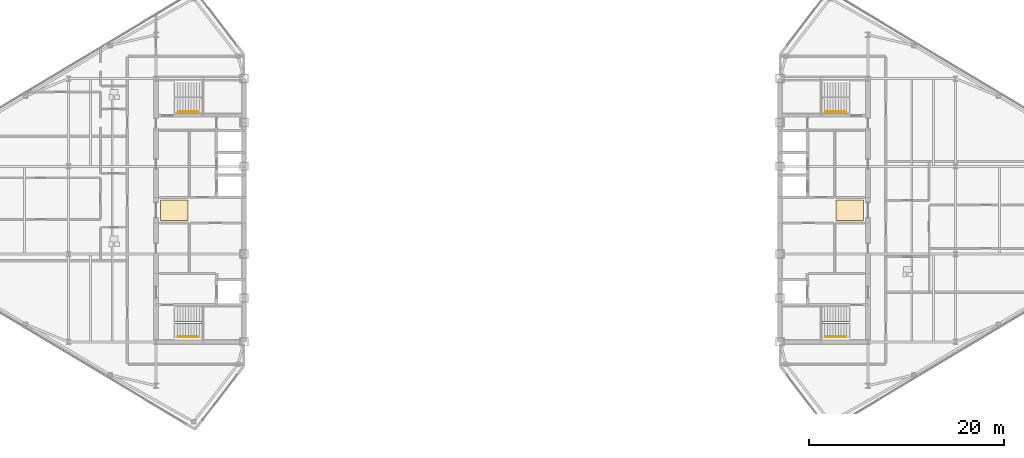
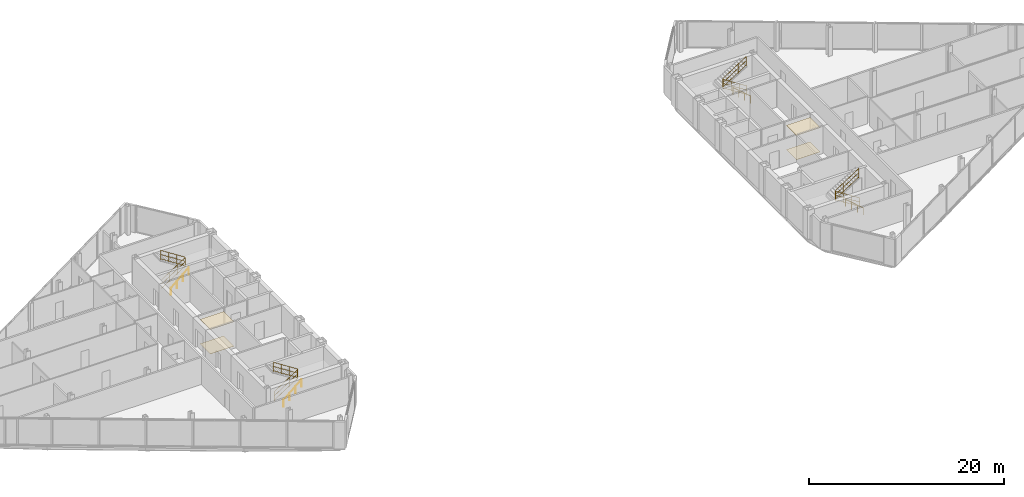
# One storey, part 24 of 25: 8 railings, 4 coverings.
"""IFC4 building model written with IfcOpenShell, lengths in metres."""

from ifc_helpers import new_model, si_unit, direction, frame, origin, origin_2d, place, context, subcontext, project, spatial, polyline, circle, outline, extrude, material, layer, layer_set, type_object, element, save


model = new_model("IFC4")

# Units and contexts
model_context = context("Model", 3, precision=1e-05, world=origin(), true_north=direction((0.0, 1.0)))
body_context = subcontext(model_context, "Body", "Model", "MODEL_VIEW")
ifc_project = project(units=[si_unit("LENGTHUNIT", "METRE"), si_unit("AREAUNIT", "SQUARE_METRE"), si_unit("VOLUMEUNIT", "CUBIC_METRE"), si_unit("PLANEANGLEUNIT", "RADIAN"), si_unit("MASSUNIT", "GRAM", prefix="KILO")], contexts=[model_context])

# Site, building, storey
site_placement = place(None, origin())
site = spatial("IfcSite", under=ifc_project, at=site_placement, CompositionType="ELEMENT")
building_placement = place(site_placement, origin())
building = spatial("IfcBuilding", under=site, at=building_placement, Name="Seokmaru Belvedere", CompositionType="ELEMENT")
storey_placement = place(building_placement, frame((0.0, 0.0, 217.5)))
storey = spatial("IfcBuildingStorey", under=building, at=storey_placement, Name="L58", CompositionType="ELEMENT", Elevation=217.5)

# Coverings
ifc_material_1 = material(Name="Engineered White Oak Timber", Category="wood")
ifc_layer_1 = layer(ifc_material_1, 0.02197265625)
ifc_layer_set_1 = layer_set([ifc_layer_1], Name="Engineered White Oak Timber")
covering_type_1 = type_object("IfcCoveringType", Name="Engineered Oak Residence Floor Finish 22", PredefinedType="FLOORING", material=ifc_layer_set_1)
covering_1_placement = place(storey_placement, origin())
element("IfcCovering", 1, at=covering_1_placement, inside=storey, type_object=covering_type_1, Name="L58 W Foyer Floor Finish", PredefinedType="FLOORING", context=body_context, shape_type="SweptSolid", body=[
    extrude(outline(polyline([(-36.050048828125, -1.050048828125), (-33.25, -1.050048828125), (-33.25, 1.050048828125), (-36.050048828125, 1.050048828125), (-36.050048828125, -1.050048828125)])), origin(), (0.0, 0.0, 1.0), 0.02197265625),
])
covering_2_placement = place(storey_placement, origin())
element("IfcCovering", 2, at=covering_2_placement, inside=storey, type_object=covering_type_1, Name="L58 E Foyer Floor Finish", PredefinedType="FLOORING", context=body_context, shape_type="SweptSolid", body=[
    extrude(outline(polyline([(33.25, -1.050048828125), (36.050048828125, -1.050048828125), (36.050048828125, 1.050048828125), (33.25, 1.050048828125), (33.25, -1.050048828125)])), origin(), (0.0, 0.0, 1.0), 0.02197265625),
])
ifc_material_2 = material(Name="Fire-Rated Gypsum Shaftwall")
ifc_layer_2 = layer(ifc_material_2, 0.02490234375)
ifc_layer_set_2 = layer_set([ifc_layer_2], Name="Fire-Rated Gypsum Shaftwall")
covering_type_2 = type_object("IfcCoveringType", Name="Perforated Acoustic Gypsum Suspended Ceiling 25", PredefinedType="CEILING", material=ifc_layer_set_2)
covering_3_placement = place(storey_placement, frame((0.0, 0.0, 3.030029296875)))
element("IfcCovering", 3, at=covering_3_placement, inside=storey, type_object=covering_type_2, Name="L58 W Lift Foyer Acoustic Ceiling", PredefinedType="CEILING", context=body_context, shape_type="SweptSolid", body=[
    extrude(outline(polyline([(-36.050048828125, -1.050048828125), (-33.25, -1.050048828125), (-33.25, 1.050048828125), (-36.050048828125, 1.050048828125), (-36.050048828125, -1.050048828125)])), origin(), (0.0, 0.0, 1.0), 0.02490234375),
])
covering_4_placement = place(storey_placement, frame((0.0, 0.0, 3.030029296875)))
element("IfcCovering", 4, at=covering_4_placement, inside=storey, type_object=covering_type_2, Name="L58 E Lift Foyer Acoustic Ceiling", PredefinedType="CEILING", context=body_context, shape_type="SweptSolid", body=[
    extrude(outline(polyline([(33.25, -1.050048828125), (36.050048828125, -1.050048828125), (36.050048828125, 1.050048828125), (33.25, 1.050048828125), (33.25, -1.050048828125)])), origin(), (0.0, 0.0, 1.0), 0.02490234375),
])

# Railings
ifc_material_3 = material(Name="Stainless Steel 316", Category="steel")
railing_type_1 = type_object("IfcRailingType", Name="Stainless Steel Wall and Flight Handrail 900", PredefinedType="HANDRAIL", material=ifc_material_3)
for number, where, name in (
    (5, (-34.25, -12.949951171875, 0.0), "L58 Stair ST-W1 Wall Handrail"),
    (6, (-34.25, 10.110107421875, 0.0), "L58 Stair ST-W2 Wall Handrail"),
):
    element("IfcRailing", number, at=place(storey_placement, frame(where)), inside=storey, type_object=railing_type_1, Name=name, PredefinedType="HANDRAIL", context=body_context, shape_type="SweptSolid", body=[
        extrude(circle(Radius=0.02392578125, at=origin_2d()), frame((0.0, 0.0, 0.8759765625), z_axis=(0.759262832861, 0.0, 0.650784104474), x_axis=(0.0, 1.0, 0.0)), (0.0, 0.0, 1.0), 2.765869140625),
        extrude(circle(Radius=0.02099609375, at=origin_2d()), origin(), (0.0, 0.0, 1.0), 0.851806640625),
        extrude(circle(Radius=0.02099609375, at=origin_2d()), frame((0.699951171875, 0.0, 0.60009765625)), (0.0, 0.0, 1.0), 0.851806640625),
        extrude(circle(Radius=0.02099609375, at=origin_2d()), frame((1.400146484375, 0.0, 1.199951171875)), (0.0, 0.0, 1.0), 0.851806640625),
        extrude(circle(Radius=0.02099609375, at=origin_2d()), frame((2.10009765625, 0.0, 1.800048828125)), (0.0, 0.0, 1.0), 0.851806640625),
    ])
for number, where, name in (
    (7, (34.25, -12.949951171875, 0.0), "L58 Stair ST-E1 Wall Handrail"),
    (8, (34.25, 10.110107421875, 0.0), "L58 Stair ST-E2 Wall Handrail"),
):
    element("IfcRailing", number, at=place(storey_placement, frame(where)), inside=storey, type_object=railing_type_1, Name=name, PredefinedType="HANDRAIL", context=body_context, shape_type="SweptSolid", body=[
        extrude(circle(Radius=0.02392578125, at=origin_2d()), frame((0.0, 0.0, 0.8759765625), z_axis=(-0.759262832861, 0.0, 0.650784104474), x_axis=(0.0, -1.0, 0.0)), (0.0, 0.0, 1.0), 2.765869140625),
        extrude(circle(Radius=0.02099609375, at=origin_2d()), origin(), (0.0, 0.0, 1.0), 0.851806640625),
        extrude(circle(Radius=0.02099609375, at=origin_2d()), frame((-0.699951171875, 0.0, 0.60009765625)), (0.0, 0.0, 1.0), 0.851806640625),
        extrude(circle(Radius=0.02099609375, at=origin_2d()), frame((-1.400146484375, 0.0, 1.199951171875)), (0.0, 0.0, 1.0), 0.851806640625),
        extrude(circle(Radius=0.02099609375, at=origin_2d()), frame((-2.10009765625, 0.0, 1.800048828125)), (0.0, 0.0, 1.0), 0.851806640625),
    ])
railing_type_2 = type_object("IfcRailingType", Name="Stair Well and Atrium Steel Guardrail 1200", PredefinedType="GUARDRAIL", material=ifc_material_3)
railing_1_placement = place(storey_placement, frame((-34.60009765625, -11.60009765625, 0.0)))
element("IfcRailing", 9, at=railing_1_placement, inside=storey, type_object=railing_type_2, Name="L58 Stair ST-W1 Inner Well Guardrail", PredefinedType="GUARDRAIL", context=body_context, shape_type="SweptSolid", body=[
    extrude(circle(Radius=0.02392578125, at=origin_2d()), frame((0.0, 0.0, 1.17578125), z_axis=(0.841176092368, 0.0, 0.540761298198), x_axis=(0.0, 1.0, 0.0)), (0.0, 0.0, 1.0), 3.32861328125),
    extrude(circle(Radius=0.02392578125, at=origin_2d()), frame((0.0, 0.0, 0.1201171875), z_axis=(0.841176092368, 0.0, 0.540761298198), x_axis=(0.0, 1.0, 0.0)), (0.0, 0.0, 1.0), 3.32861328125),
    extrude(circle(Radius=0.02392578125, at=origin_2d()), frame((0.0, 0.0, 0.659912109375), z_axis=(0.841176092368, 0.0, 0.540761298198), x_axis=(0.0, 1.0, 0.0)), (0.0, 0.0, 1.0), 3.32861328125),
    extrude(circle(Radius=0.02392578125, at=origin_2d()), frame((2.800048828125, 0.0, 2.97607421875), z_axis=(0.0, 1.0, 0.0), x_axis=(-1.0, 0.0, 0.0)), (0.0, 0.0, 1.0), 0.14013671875),
    extrude(circle(Radius=0.02392578125, at=origin_2d()), frame((2.800048828125, 0.0, 1.920166015625), z_axis=(0.0, 1.0, 0.0), x_axis=(-1.0, 0.0, 0.0)), (0.0, 0.0, 1.0), 0.14013671875),
    extrude(circle(Radius=0.02392578125, at=origin_2d()), frame((2.800048828125, 0.0, 2.4599609375), z_axis=(0.0, 1.0, 0.0), x_axis=(-1.0, 0.0, 0.0)), (0.0, 0.0, 1.0), 0.14013671875),
    extrude(circle(Radius=0.02392578125, at=origin_2d()), frame((2.800048828125, 0.14013671875, 2.97607421875), z_axis=(-0.841176092368, 0.0, 0.540761298198), x_axis=(0.0, -1.0, 0.0)), (0.0, 0.0, 1.0), 3.32861328125),
    extrude(circle(Radius=0.02392578125, at=origin_2d()), frame((2.800048828125, 0.14013671875, 1.920166015625), z_axis=(-0.841176092368, 0.0, 0.540761298198), x_axis=(0.0, -1.0, 0.0)), (0.0, 0.0, 1.0), 3.32861328125),
    extrude(circle(Radius=0.02392578125, at=origin_2d()), frame((2.800048828125, 0.14013671875, 2.4599609375), z_axis=(-0.841176092368, 0.0, 0.540761298198), x_axis=(0.0, -1.0, 0.0)), (0.0, 0.0, 1.0), 3.32861328125),
    extrude(circle(Radius=0.02099609375, at=origin_2d()), origin(), (0.0, 0.0, 1.0), 1.15185546875),
    extrude(circle(Radius=0.02099609375, at=origin_2d()), frame((0.933349609375, 0.0, 0.60009765625)), (0.0, 0.0, 1.0), 1.15185546875),
    extrude(circle(Radius=0.02099609375, at=origin_2d()), frame((1.86669921875, 0.0, 1.199951171875)), (0.0, 0.0, 1.0), 1.15185546875),
    extrude(circle(Radius=0.02099609375, at=origin_2d()), frame((2.800048828125, 0.0, 1.800048828125)), (0.0, 0.0, 1.0), 1.15185546875),
    extrude(circle(Radius=0.02099609375, at=origin_2d()), frame((2.800048828125, 0.14013671875, 1.800048828125)), (0.0, 0.0, 1.0), 1.15185546875),
    extrude(circle(Radius=0.02099609375, at=origin_2d()), frame((1.86669921875, 0.14013671875, 2.400146484375)), (0.0, 0.0, 1.0), 1.15185546875),
    extrude(circle(Radius=0.02099609375, at=origin_2d()), frame((0.933349609375, 0.14013671875, 3.0)), (0.0, 0.0, 1.0), 1.15185546875),
    extrude(circle(Radius=0.02099609375, at=origin_2d()), frame((0.0, 0.14013671875, 3.60009765625)), (0.0, 0.0, 1.0), 1.15185546875),
])
railing_2_placement = place(storey_placement, frame((-34.60009765625, 11.4599609375, 0.0)))
element("IfcRailing", 10, at=railing_2_placement, inside=storey, type_object=railing_type_2, Name="L58 Stair ST-W2 Inner Well Guardrail", PredefinedType="GUARDRAIL", context=body_context, shape_type="SweptSolid", body=[
    extrude(circle(Radius=0.02392578125, at=origin_2d()), frame((0.0, 0.0, 1.17578125), z_axis=(0.841176092368, 0.0, 0.540761298198), x_axis=(0.0, 1.0, 0.0)), (0.0, 0.0, 1.0), 3.32861328125),
    extrude(circle(Radius=0.02392578125, at=origin_2d()), frame((0.0, 0.0, 0.1201171875), z_axis=(0.841176092368, 0.0, 0.540761298198), x_axis=(0.0, 1.0, 0.0)), (0.0, 0.0, 1.0), 3.32861328125),
    extrude(circle(Radius=0.02392578125, at=origin_2d()), frame((0.0, 0.0, 0.659912109375), z_axis=(0.841176092368, 0.0, 0.540761298198), x_axis=(0.0, 1.0, 0.0)), (0.0, 0.0, 1.0), 3.32861328125),
    extrude(circle(Radius=0.02392578125, at=origin_2d()), frame((2.800048828125, 0.0, 2.97607421875), z_axis=(0.0, 1.0, 0.0), x_axis=(-1.0, 0.0, 0.0)), (0.0, 0.0, 1.0), 0.14013671875),
    extrude(circle(Radius=0.02392578125, at=origin_2d()), frame((2.800048828125, 0.0, 1.920166015625), z_axis=(0.0, 1.0, 0.0), x_axis=(-1.0, 0.0, 0.0)), (0.0, 0.0, 1.0), 0.14013671875),
    extrude(circle(Radius=0.02392578125, at=origin_2d()), frame((2.800048828125, 0.0, 2.4599609375), z_axis=(0.0, 1.0, 0.0), x_axis=(-1.0, 0.0, 0.0)), (0.0, 0.0, 1.0), 0.14013671875),
    extrude(circle(Radius=0.02392578125, at=origin_2d()), frame((2.800048828125, 0.14013671875, 2.97607421875), z_axis=(-0.841176092368, 0.0, 0.540761298198), x_axis=(0.0, -1.0, 0.0)), (0.0, 0.0, 1.0), 3.32861328125),
    extrude(circle(Radius=0.02392578125, at=origin_2d()), frame((2.800048828125, 0.14013671875, 1.920166015625), z_axis=(-0.841176092368, 0.0, 0.540761298198), x_axis=(0.0, -1.0, 0.0)), (0.0, 0.0, 1.0), 3.32861328125),
    extrude(circle(Radius=0.02392578125, at=origin_2d()), frame((2.800048828125, 0.14013671875, 2.4599609375), z_axis=(-0.841176092368, 0.0, 0.540761298198), x_axis=(0.0, -1.0, 0.0)), (0.0, 0.0, 1.0), 3.32861328125),
    extrude(circle(Radius=0.02099609375, at=origin_2d()), origin(), (0.0, 0.0, 1.0), 1.15185546875),
    extrude(circle(Radius=0.02099609375, at=origin_2d()), frame((0.933349609375, 0.0, 0.60009765625)), (0.0, 0.0, 1.0), 1.15185546875),
    extrude(circle(Radius=0.02099609375, at=origin_2d()), frame((1.86669921875, 0.0, 1.199951171875)), (0.0, 0.0, 1.0), 1.15185546875),
    extrude(circle(Radius=0.02099609375, at=origin_2d()), frame((2.800048828125, 0.0, 1.800048828125)), (0.0, 0.0, 1.0), 1.15185546875),
    extrude(circle(Radius=0.02099609375, at=origin_2d()), frame((2.800048828125, 0.14013671875, 1.800048828125)), (0.0, 0.0, 1.0), 1.15185546875),
    extrude(circle(Radius=0.02099609375, at=origin_2d()), frame((1.86669921875, 0.14013671875, 2.400146484375)), (0.0, 0.0, 1.0), 1.15185546875),
    extrude(circle(Radius=0.02099609375, at=origin_2d()), frame((0.933349609375, 0.14013671875, 3.0)), (0.0, 0.0, 1.0), 1.15185546875),
    extrude(circle(Radius=0.02099609375, at=origin_2d()), frame((0.0, 0.14013671875, 3.60009765625)), (0.0, 0.0, 1.0), 1.15185546875),
])
railing_3_placement = place(storey_placement, frame((34.60009765625, -11.60009765625, 0.0)))
element("IfcRailing", 11, at=railing_3_placement, inside=storey, type_object=railing_type_2, Name="L58 Stair ST-E1 Inner Well Guardrail", PredefinedType="GUARDRAIL", context=body_context, shape_type="SweptSolid", body=[
    extrude(circle(Radius=0.02392578125, at=origin_2d()), frame((0.0, 0.0, 1.17578125), z_axis=(-0.841176092368, 0.0, 0.540761298198), x_axis=(0.0, -1.0, 0.0)), (0.0, 0.0, 1.0), 3.32861328125),
    extrude(circle(Radius=0.02392578125, at=origin_2d()), frame((0.0, 0.0, 0.1201171875), z_axis=(-0.841176092368, 0.0, 0.540761298198), x_axis=(0.0, -1.0, 0.0)), (0.0, 0.0, 1.0), 3.32861328125),
    extrude(circle(Radius=0.02392578125, at=origin_2d()), frame((0.0, 0.0, 0.659912109375), z_axis=(-0.841176092368, 0.0, 0.540761298198), x_axis=(0.0, -1.0, 0.0)), (0.0, 0.0, 1.0), 3.32861328125),
    extrude(circle(Radius=0.02392578125, at=origin_2d()), frame((-2.800048828125, 0.0, 2.97607421875), z_axis=(0.0, 1.0, 0.0), x_axis=(-1.0, 0.0, 0.0)), (0.0, 0.0, 1.0), 0.14013671875),
    extrude(circle(Radius=0.02392578125, at=origin_2d()), frame((-2.800048828125, 0.0, 1.920166015625), z_axis=(0.0, 1.0, 0.0), x_axis=(-1.0, 0.0, 0.0)), (0.0, 0.0, 1.0), 0.14013671875),
    extrude(circle(Radius=0.02392578125, at=origin_2d()), frame((-2.800048828125, 0.0, 2.4599609375), z_axis=(0.0, 1.0, 0.0), x_axis=(-1.0, 0.0, 0.0)), (0.0, 0.0, 1.0), 0.14013671875),
    extrude(circle(Radius=0.02392578125, at=origin_2d()), frame((-2.800048828125, 0.14013671875, 2.97607421875), z_axis=(0.841176092368, 0.0, 0.540761298198), x_axis=(0.0, 1.0, 0.0)), (0.0, 0.0, 1.0), 3.32861328125),
    extrude(circle(Radius=0.02392578125, at=origin_2d()), frame((-2.800048828125, 0.14013671875, 1.920166015625), z_axis=(0.841176092368, 0.0, 0.540761298198), x_axis=(0.0, 1.0, 0.0)), (0.0, 0.0, 1.0), 3.32861328125),
    extrude(circle(Radius=0.02392578125, at=origin_2d()), frame((-2.800048828125, 0.14013671875, 2.4599609375), z_axis=(0.841176092368, 0.0, 0.540761298198), x_axis=(0.0, 1.0, 0.0)), (0.0, 0.0, 1.0), 3.32861328125),
    extrude(circle(Radius=0.02099609375, at=origin_2d()), origin(), (0.0, 0.0, 1.0), 1.15185546875),
    extrude(circle(Radius=0.02099609375, at=origin_2d()), frame((-0.933349609375, 0.0, 0.60009765625)), (0.0, 0.0, 1.0), 1.15185546875),
    extrude(circle(Radius=0.02099609375, at=origin_2d()), frame((-1.86669921875, 0.0, 1.199951171875)), (0.0, 0.0, 1.0), 1.15185546875),
    extrude(circle(Radius=0.02099609375, at=origin_2d()), frame((-2.800048828125, 0.0, 1.800048828125)), (0.0, 0.0, 1.0), 1.15185546875),
    extrude(circle(Radius=0.02099609375, at=origin_2d()), frame((-2.800048828125, 0.14013671875, 1.800048828125)), (0.0, 0.0, 1.0), 1.15185546875),
    extrude(circle(Radius=0.02099609375, at=origin_2d()), frame((-1.86669921875, 0.14013671875, 2.400146484375)), (0.0, 0.0, 1.0), 1.15185546875),
    extrude(circle(Radius=0.02099609375, at=origin_2d()), frame((-0.933349609375, 0.14013671875, 3.0)), (0.0, 0.0, 1.0), 1.15185546875),
    extrude(circle(Radius=0.02099609375, at=origin_2d()), frame((0.0, 0.14013671875, 3.60009765625)), (0.0, 0.0, 1.0), 1.15185546875),
])
railing_4_placement = place(storey_placement, frame((34.60009765625, 11.4599609375, 0.0)))
element("IfcRailing", 12, at=railing_4_placement, inside=storey, type_object=railing_type_2, Name="L58 Stair ST-E2 Inner Well Guardrail", PredefinedType="GUARDRAIL", context=body_context, shape_type="SweptSolid", body=[
    extrude(circle(Radius=0.02392578125, at=origin_2d()), frame((0.0, 0.0, 1.17578125), z_axis=(-0.841176092368, 0.0, 0.540761298198), x_axis=(0.0, -1.0, 0.0)), (0.0, 0.0, 1.0), 3.32861328125),
    extrude(circle(Radius=0.02392578125, at=origin_2d()), frame((0.0, 0.0, 0.1201171875), z_axis=(-0.841176092368, 0.0, 0.540761298198), x_axis=(0.0, -1.0, 0.0)), (0.0, 0.0, 1.0), 3.32861328125),
    extrude(circle(Radius=0.02392578125, at=origin_2d()), frame((0.0, 0.0, 0.659912109375), z_axis=(-0.841176092368, 0.0, 0.540761298198), x_axis=(0.0, -1.0, 0.0)), (0.0, 0.0, 1.0), 3.32861328125),
    extrude(circle(Radius=0.02392578125, at=origin_2d()), frame((-2.800048828125, 0.0, 2.97607421875), z_axis=(0.0, 1.0, 0.0), x_axis=(-1.0, 0.0, 0.0)), (0.0, 0.0, 1.0), 0.14013671875),
    extrude(circle(Radius=0.02392578125, at=origin_2d()), frame((-2.800048828125, 0.0, 1.920166015625), z_axis=(0.0, 1.0, 0.0), x_axis=(-1.0, 0.0, 0.0)), (0.0, 0.0, 1.0), 0.14013671875),
    extrude(circle(Radius=0.02392578125, at=origin_2d()), frame((-2.800048828125, 0.0, 2.4599609375), z_axis=(0.0, 1.0, 0.0), x_axis=(-1.0, 0.0, 0.0)), (0.0, 0.0, 1.0), 0.14013671875),
    extrude(circle(Radius=0.02392578125, at=origin_2d()), frame((-2.800048828125, 0.14013671875, 2.97607421875), z_axis=(0.841176092368, 0.0, 0.540761298198), x_axis=(0.0, 1.0, 0.0)), (0.0, 0.0, 1.0), 3.32861328125),
    extrude(circle(Radius=0.02392578125, at=origin_2d()), frame((-2.800048828125, 0.14013671875, 1.920166015625), z_axis=(0.841176092368, 0.0, 0.540761298198), x_axis=(0.0, 1.0, 0.0)), (0.0, 0.0, 1.0), 3.32861328125),
    extrude(circle(Radius=0.02392578125, at=origin_2d()), frame((-2.800048828125, 0.14013671875, 2.4599609375), z_axis=(0.841176092368, 0.0, 0.540761298198), x_axis=(0.0, 1.0, 0.0)), (0.0, 0.0, 1.0), 3.32861328125),
    extrude(circle(Radius=0.02099609375, at=origin_2d()), origin(), (0.0, 0.0, 1.0), 1.15185546875),
    extrude(circle(Radius=0.02099609375, at=origin_2d()), frame((-0.933349609375, 0.0, 0.60009765625)), (0.0, 0.0, 1.0), 1.15185546875),
    extrude(circle(Radius=0.02099609375, at=origin_2d()), frame((-1.86669921875, 0.0, 1.199951171875)), (0.0, 0.0, 1.0), 1.15185546875),
    extrude(circle(Radius=0.02099609375, at=origin_2d()), frame((-2.800048828125, 0.0, 1.800048828125)), (0.0, 0.0, 1.0), 1.15185546875),
    extrude(circle(Radius=0.02099609375, at=origin_2d()), frame((-2.800048828125, 0.14013671875, 1.800048828125)), (0.0, 0.0, 1.0), 1.15185546875),
    extrude(circle(Radius=0.02099609375, at=origin_2d()), frame((-1.86669921875, 0.14013671875, 2.400146484375)), (0.0, 0.0, 1.0), 1.15185546875),
    extrude(circle(Radius=0.02099609375, at=origin_2d()), frame((-0.933349609375, 0.14013671875, 3.0)), (0.0, 0.0, 1.0), 1.15185546875),
    extrude(circle(Radius=0.02099609375, at=origin_2d()), frame((0.0, 0.14013671875, 3.60009765625)), (0.0, 0.0, 1.0), 1.15185546875),
])

save(model, "model.ifc")
